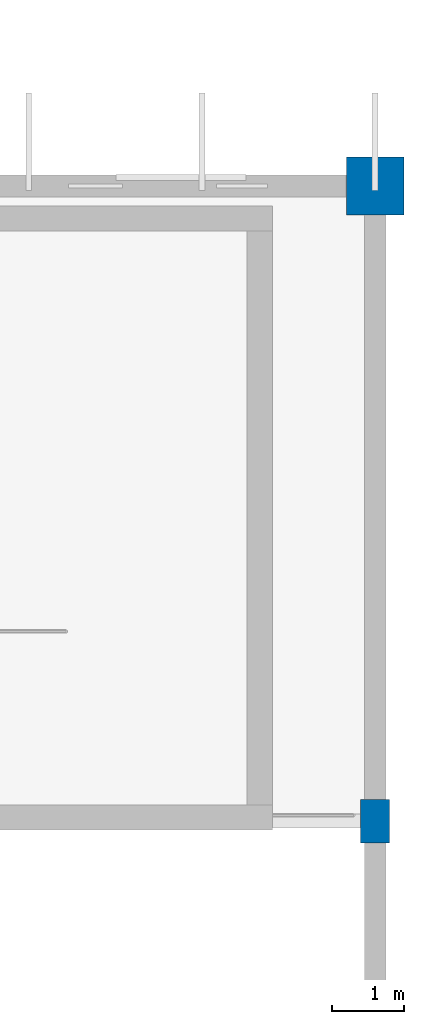
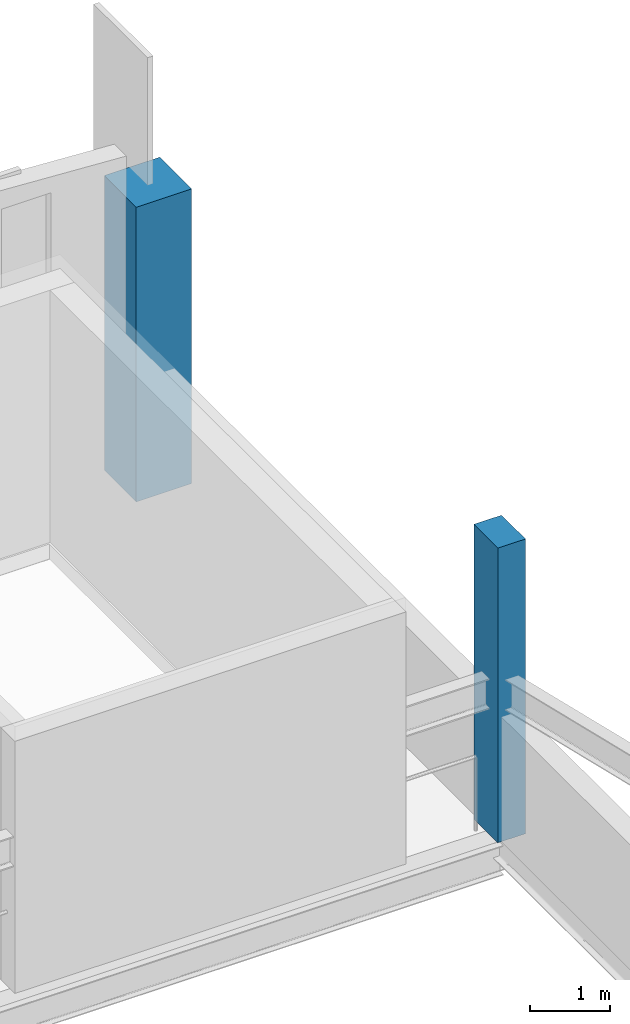
# One storey, part 14 of 114: 2 columns.
"""IFC4 building model written with IfcOpenShell, lengths in metres."""

import ifcopenshell
import ifcopenshell.guid

model = None  # the IFC model being written
_history = None  # IfcOwnerHistory: only IFC2X3 demands one
_inside = {}  # id of a spatial element -> (the spatial element, [elements in it])
_under = {}  # id of a project, library or spatial element -> (it, [spatial elements below it])
_declared = {}  # id of a project -> (the project, [libraries it declares])
_typed = {}  # id of a type object -> (the type object, [elements of that type])
_made_of = {}  # id of a material, layer set ... -> (it, [elements and type objects made of it])


def new_model(schema):
    """Start an empty IFC model of exactly this schema.

    Asked for "IFC4X3", IfcOpenShell would pick the latest addendum, in which some entities
    have other attributes; the version numbers below select the first issue.
    IFC2X3 requires an IfcOwnerHistory on every rooted entity: one is made here for all.
    """
    global model, _history
    if schema == "IFC4X3":
        model = ifcopenshell.file(schema_version=(4, 3, 0, 0))
    else:
        model = ifcopenshell.file(schema=schema)
    _inside.clear()
    _under.clear()
    _declared.clear()
    _typed.clear()
    _made_of.clear()
    _history = None
    if model.schema == "IFC2X3":
        org = make("IfcOrganization", Name="unknown")
        user = make(
            "IfcPersonAndOrganization",
            ThePerson=make("IfcPerson", FamilyName="unknown"),
            TheOrganization=org,
        )
        app = make(
            "IfcApplication",
            ApplicationDeveloper=org,
            Version="unknown",
            ApplicationFullName="unknown",
            ApplicationIdentifier="unknown",
        )
        _history = make(
            "IfcOwnerHistory",
            OwningUser=user,
            OwningApplication=app,
            ChangeAction="ADDED",
            CreationDate=0,
        )
    return model


def make(cls, **values):
    """One entity of the class cls with the attributes given. An attribute that is None is left unset."""
    return model.create_entity(
        cls, **{name: value for name, value in values.items() if value is not None}
    )


def rooted(cls, **values):
    """An entity with a GlobalId (a new one), such as an element, a storey or a relation."""
    return make(cls, GlobalId=ifcopenshell.guid.new(), OwnerHistory=_history, **values)


def si_unit(unit_type, name, prefix=None):
    """IfcSIUnit, for example si_unit("LENGTHUNIT", "METRE", prefix="MILLI")."""
    return make("IfcSIUnit", UnitType=unit_type, Prefix=prefix, Name=name)


def assignment(units):
    """IfcUnitAssignment: the units of a project."""
    return None if units is None else make("IfcUnitAssignment", Units=units)


def point(xyz):
    """IfcCartesianPoint."""
    return None if xyz is None else make("IfcCartesianPoint", Coordinates=xyz)


def direction(xyz):
    """IfcDirection."""
    return None if xyz is None else make("IfcDirection", DirectionRatios=xyz)


def frame(location, z_axis=None, x_axis=None):
    """IfcAxis2Placement3D, a coordinate frame: its origin and axes. An axis left out is left unset."""
    return make(
        "IfcAxis2Placement3D",
        Location=point(location),
        Axis=direction(z_axis),
        RefDirection=direction(x_axis),
    )


def frame_2d(location, x_axis=None):
    """IfcAxis2Placement2D, a coordinate frame in the plane: its origin and x axis."""
    return make(
        "IfcAxis2Placement2D", Location=point(location), RefDirection=direction(x_axis)
    )


def origin():
    """The frame at (0, 0, 0) with its axes left unset."""
    return frame((0.0, 0.0, 0.0))


def origin_2d():
    """The frame at (0, 0) in the plane with its x axis left unset."""
    return frame_2d((0.0, 0.0))


def place(relative_to, where):
    """IfcLocalPlacement: puts the frame where relative to a parent placement (None: the world)."""
    return make(
        "IfcLocalPlacement", PlacementRelTo=relative_to, RelativePlacement=where
    )


def context(
    kind, dimensions, precision=None, world=None, true_north=None, identifier=None
):
    """IfcGeometricRepresentationContext, for example the 3D "Model" context."""
    return make(
        "IfcGeometricRepresentationContext",
        ContextIdentifier=identifier,
        ContextType=kind,
        CoordinateSpaceDimension=dimensions,
        Precision=precision,
        WorldCoordinateSystem=world,
        TrueNorth=true_north,
    )


def subcontext(parent, identifier, kind, view, scale=None):
    """IfcGeometricRepresentationSubContext, for example "Body" below "Model"."""
    return make(
        "IfcGeometricRepresentationSubContext",
        ContextIdentifier=identifier,
        ContextType=kind,
        ParentContext=parent,
        TargetScale=scale,
        TargetView=view,
    )


def project(units=None, contexts=None):
    """IfcProject with its units and contexts."""
    return rooted(
        "IfcProject",
        Name="project",
        RepresentationContexts=contexts,
        UnitsInContext=assignment(units),
    )


def spatial(cls, under=None, at=None, **own):
    """A site, building, storey or space (cls), placed at a placement, below another one or the project."""
    s = rooted(cls, ObjectPlacement=at, **own)
    if under is not None:
        _under.setdefault(under.id(), (under, []))[1].append(s)
    return s


def profile(cls, at=None, kind="AREA", **sizes):
    """A parametric profile (cls). Its sizes go by their IFC names, for example OverallWidth=200.0."""
    return make(cls, ProfileType=kind, Position=at, **sizes)


def rectangle(**sizes):
    """IfcRectangleProfileDef."""
    return profile("IfcRectangleProfileDef", **sizes)


def extrude(swept, where, along, depth):
    """IfcExtrudedAreaSolid: the profile swept, set in the frame where, extruded along a direction by depth."""
    return make(
        "IfcExtrudedAreaSolid",
        SweptArea=swept,
        Position=where,
        ExtrudedDirection=direction(along),
        Depth=depth,
    )


def shape(context_of_items, identifier, shape_type, items):
    """IfcShapeRepresentation: the items that make up one representation, for example the "Body"."""
    return make(
        "IfcShapeRepresentation",
        ContextOfItems=context_of_items,
        RepresentationIdentifier=identifier,
        RepresentationType=shape_type,
        Items=items,
    )


def material(Name=None, Category=None):
    """IfcMaterial."""
    return make("IfcMaterial", Name=Name, Category=Category)


def material_profile(
    of_material, cross_section, Name=None, Category=None, Priority=None
):
    """IfcMaterialProfile: a cross section and its material."""
    return make(
        "IfcMaterialProfile",
        Name=Name,
        Material=of_material,
        Profile=cross_section,
        Priority=Priority,
        Category=Category,
    )


def profile_set(profiles, Name=None, composite=None):
    """IfcMaterialProfileSet."""
    return make(
        "IfcMaterialProfileSet",
        Name=Name,
        MaterialProfiles=profiles,
        CompositeProfile=composite,
    )


def made_of(thing, what):
    """Note that an element or type object is made of a material, layer set ...; save() writes the relation."""
    if what is not None:
        _made_of.setdefault(what.id(), (what, []))[1].append(thing)
    return thing


def type_object(cls, material=None, **own):
    """A type object (cls), such as IfcWallType, which elements share."""
    return made_of(rooted(cls, **own), material)


def element(
    cls,
    number,
    at=None,
    inside=None,
    cuts=None,
    type_object=None,
    material=None,
    context=None,
    identifier="Body",
    shape_type=None,
    held_by="IfcProductDefinitionShape",
    body=None,
    shapes=None,
    **own,
):
    """One element of the class cls, such as IfcWall. Its Tag is "e" and its number.

    at: its placement. inside: the storey or other place that contains it. cuts: it is an
    opening in that element (IfcRelVoidsElement). A single representation is given by context,
    identifier, shape_type and body (its items); several are given by shapes. held_by: the class
    of the entity that holds the representations. save() writes the other relations.
    """
    e = rooted(cls, Tag="e%d" % number, ObjectPlacement=at, **own)
    if body is not None:
        shapes = [shape(context, identifier, shape_type, body)]
    if shapes is not None:
        e.Representation = make(held_by, Representations=shapes)
    if inside is not None:
        _inside.setdefault(inside.id(), (inside, []))[1].append(e)
    if cuts is not None:
        rooted(
            "IfcRelVoidsElement", RelatingBuildingElement=cuts, RelatedOpeningElement=e
        )
    if type_object is not None:
        _typed.setdefault(type_object.id(), (type_object, []))[1].append(e)
    return made_of(e, material)


def aggregate(whole, parts):
    """IfcRelAggregates: a whole, such as a stair, and the parts it consists of."""
    return rooted("IfcRelAggregates", RelatingObject=whole, RelatedObjects=parts)


def save(model, path):
    """Write the relations noted so far, then the file.

    IfcRelAggregates (storeys below a building ...), IfcRelContainedInSpatialStructure (elements
    in a storey), IfcRelDefinesByType, IfcRelAssociatesMaterial and IfcRelDeclares: one each for
    every whole, place, type object, material and project.
    """
    for whole, parts in _under.values():
        aggregate(whole, parts)
    for where, things in _inside.values():
        rooted(
            "IfcRelContainedInSpatialStructure",
            RelatedElements=things,
            RelatingStructure=where,
        )
    for kind, things in _typed.values():
        rooted("IfcRelDefinesByType", RelatedObjects=things, RelatingType=kind)
    for what, things in _made_of.values():
        rooted("IfcRelAssociatesMaterial", RelatedObjects=things, RelatingMaterial=what)
    for by, libraries in _declared.values():
        rooted("IfcRelDeclares", RelatingContext=by, RelatedDefinitions=libraries)
    model.write(path)


model = new_model("IFC4")

# Units and contexts
model_context = context("Model", 3, precision=1e-05, world=origin(), true_north=direction((0.0, 1.0)))
body_context = subcontext(model_context, "Body", "Model", "MODEL_VIEW")
ifc_project = project(units=[si_unit("LENGTHUNIT", "METRE"), si_unit("AREAUNIT", "SQUARE_METRE"), si_unit("VOLUMEUNIT", "CUBIC_METRE"), si_unit("PLANEANGLEUNIT", "RADIAN"), si_unit("MASSUNIT", "GRAM", prefix="KILO")], contexts=[model_context])

# Site, building, storey
site_placement = place(None, origin())
site = spatial("IfcSite", under=ifc_project, at=site_placement, CompositionType="ELEMENT")
building_placement = place(site_placement, origin())
building = spatial("IfcBuilding", under=site, at=building_placement, Name="Chalmorin Arch Market", CompositionType="ELEMENT")
storey_placement = place(building_placement, frame((0.0, 0.0, 9.60009765625)))
storey = spatial("IfcBuildingStorey", under=building, at=storey_placement, Name="L02", CompositionType="ELEMENT", Elevation=9.60009765625)

# Columns
ifc_material_1 = material(Name="Concrete C50/60", Category="concrete")
ifc_material_profile_1 = material_profile(ifc_material_1, rectangle(XDim=0.800048828125, YDim=0.800048828125, at=origin_2d()), Name="RC800X800")
ifc_profile_set_1 = profile_set([ifc_material_profile_1], Name="Concrete C50/60")
column_type_1 = type_object("IfcColumnType", Name="ArchPierColumn-800x800", PredefinedType="COLUMN", material=ifc_profile_set_1)
column_1_placement = place(storey_placement, frame((124.800048828125, 58.800048828125, 0.0), z_axis=(0.0, 0.0, 1.0), x_axis=(1.0, 0.0, 0.0)))
element("IfcColumn", 1, at=column_1_placement, inside=storey, type_object=column_type_1, Name="C-AP1-675", PredefinedType="COLUMN", context=body_context, shape_type="SweptSolid", body=[
    extrude(rectangle(XDim=0.800048828125, YDim=0.800048828125, at=origin_2d()), origin(), (0.0, 0.0, 1.0), 4.5),
])
ifc_material_2 = material(Name="Concrete C40/50", Category="concrete")
ifc_material_profile_2 = material_profile(ifc_material_2, rectangle(XDim=0.39990234375, YDim=0.60009765625, at=origin_2d()), Name="RC400X600")
ifc_profile_set_2 = profile_set([ifc_material_profile_2], Name="Concrete C40/50")
column_type_2 = type_object("IfcColumnType", Name="GalleryConcreteColumn-400x600", PredefinedType="COLUMN", material=ifc_profile_set_2)
column_2_placement = place(storey_placement, frame((124.800048828125, 50.0, 0.0), z_axis=(0.0, 0.0, 1.0), x_axis=(1.0, 0.0, 0.0)))
element("IfcColumn", 2, at=column_2_placement, inside=storey, type_object=column_type_2, Name="C-RC5-670", PredefinedType="COLUMN", context=body_context, shape_type="SweptSolid", body=[
    extrude(rectangle(XDim=0.39990234375, YDim=0.60009765625, at=origin_2d()), origin(), (0.0, 0.0, 1.0), 4.5),
])

save(model, "model.ifc")
